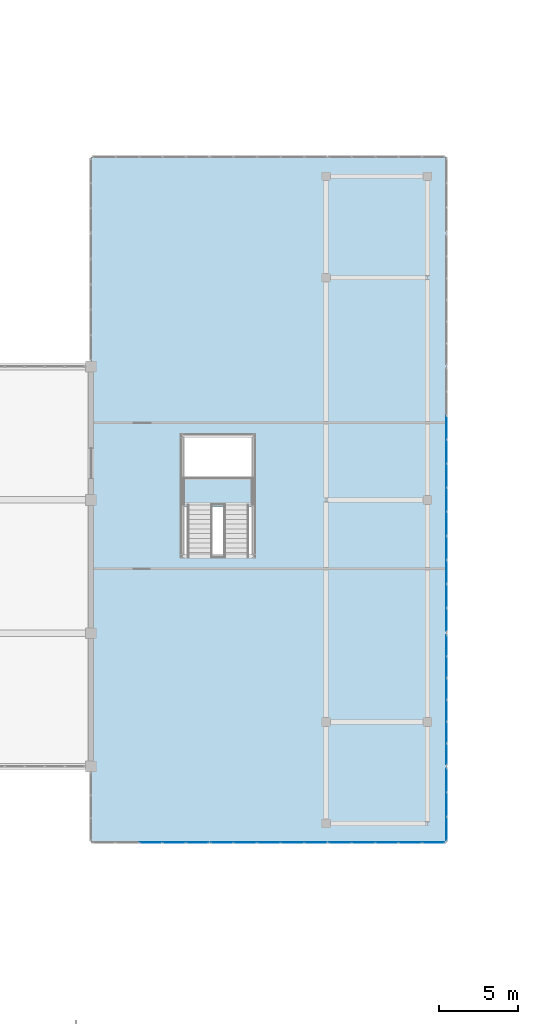
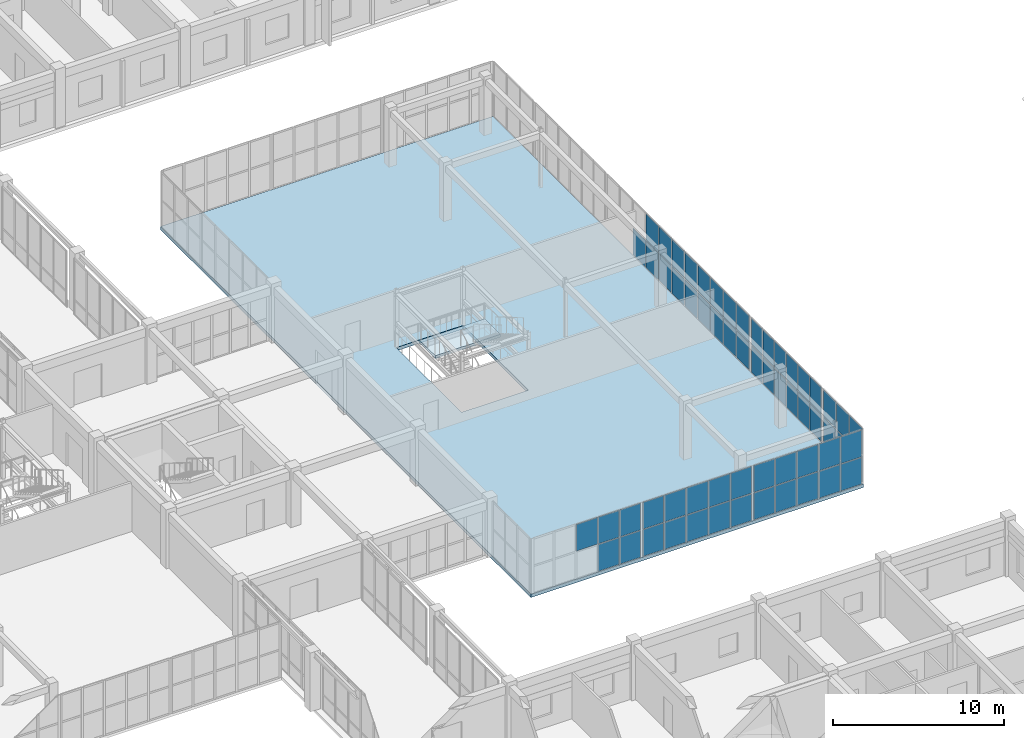
# One storey, part 99 of 140: 60 plates, 2 slabs, 7 elements without a shape of their own.
"""IFC4 building model written with IfcOpenShell, lengths in metres."""

import ifcopenshell
import ifcopenshell.guid

model = None  # the IFC model being written
_history = None  # IfcOwnerHistory: only IFC2X3 demands one
_inside = {}  # id of a spatial element -> (the spatial element, [elements in it])
_under = {}  # id of a project, library or spatial element -> (it, [spatial elements below it])
_declared = {}  # id of a project -> (the project, [libraries it declares])
_typed = {}  # id of a type object -> (the type object, [elements of that type])
_made_of = {}  # id of a material, layer set ... -> (it, [elements and type objects made of it])


def new_model(schema):
    """Start an empty IFC model of exactly this schema.

    Asked for "IFC4X3", IfcOpenShell would pick the latest addendum, in which some entities
    have other attributes; the version numbers below select the first issue.
    IFC2X3 requires an IfcOwnerHistory on every rooted entity: one is made here for all.
    """
    global model, _history
    if schema == "IFC4X3":
        model = ifcopenshell.file(schema_version=(4, 3, 0, 0))
    else:
        model = ifcopenshell.file(schema=schema)
    _inside.clear()
    _under.clear()
    _declared.clear()
    _typed.clear()
    _made_of.clear()
    _history = None
    if model.schema == "IFC2X3":
        org = make("IfcOrganization", Name="unknown")
        user = make(
            "IfcPersonAndOrganization",
            ThePerson=make("IfcPerson", FamilyName="unknown"),
            TheOrganization=org,
        )
        app = make(
            "IfcApplication",
            ApplicationDeveloper=org,
            Version="unknown",
            ApplicationFullName="unknown",
            ApplicationIdentifier="unknown",
        )
        _history = make(
            "IfcOwnerHistory",
            OwningUser=user,
            OwningApplication=app,
            ChangeAction="ADDED",
            CreationDate=0,
        )
    return model


def make(cls, **values):
    """One entity of the class cls with the attributes given. An attribute that is None is left unset."""
    return model.create_entity(
        cls, **{name: value for name, value in values.items() if value is not None}
    )


def rooted(cls, **values):
    """An entity with a GlobalId (a new one), such as an element, a storey or a relation."""
    return make(cls, GlobalId=ifcopenshell.guid.new(), OwnerHistory=_history, **values)


def si_unit(unit_type, name, prefix=None):
    """IfcSIUnit, for example si_unit("LENGTHUNIT", "METRE", prefix="MILLI")."""
    return make("IfcSIUnit", UnitType=unit_type, Prefix=prefix, Name=name)


def assignment(units):
    """IfcUnitAssignment: the units of a project."""
    return None if units is None else make("IfcUnitAssignment", Units=units)


def point(xyz):
    """IfcCartesianPoint."""
    return None if xyz is None else make("IfcCartesianPoint", Coordinates=xyz)


def direction(xyz):
    """IfcDirection."""
    return None if xyz is None else make("IfcDirection", DirectionRatios=xyz)


def frame(location, z_axis=None, x_axis=None):
    """IfcAxis2Placement3D, a coordinate frame: its origin and axes. An axis left out is left unset."""
    return make(
        "IfcAxis2Placement3D",
        Location=point(location),
        Axis=direction(z_axis),
        RefDirection=direction(x_axis),
    )


def frame_2d(location, x_axis=None):
    """IfcAxis2Placement2D, a coordinate frame in the plane: its origin and x axis."""
    return make(
        "IfcAxis2Placement2D", Location=point(location), RefDirection=direction(x_axis)
    )


def origin():
    """The frame at (0, 0, 0) with its axes left unset."""
    return frame((0.0, 0.0, 0.0))


def origin_2d():
    """The frame at (0, 0) in the plane with its x axis left unset."""
    return frame_2d((0.0, 0.0))


def place(relative_to, where):
    """IfcLocalPlacement: puts the frame where relative to a parent placement (None: the world)."""
    return make(
        "IfcLocalPlacement", PlacementRelTo=relative_to, RelativePlacement=where
    )


def context(
    kind, dimensions, precision=None, world=None, true_north=None, identifier=None
):
    """IfcGeometricRepresentationContext, for example the 3D "Model" context."""
    return make(
        "IfcGeometricRepresentationContext",
        ContextIdentifier=identifier,
        ContextType=kind,
        CoordinateSpaceDimension=dimensions,
        Precision=precision,
        WorldCoordinateSystem=world,
        TrueNorth=true_north,
    )


def subcontext(parent, identifier, kind, view, scale=None):
    """IfcGeometricRepresentationSubContext, for example "Body" below "Model"."""
    return make(
        "IfcGeometricRepresentationSubContext",
        ContextIdentifier=identifier,
        ContextType=kind,
        ParentContext=parent,
        TargetScale=scale,
        TargetView=view,
    )


def project(units=None, contexts=None):
    """IfcProject with its units and contexts."""
    return rooted(
        "IfcProject",
        Name="project",
        RepresentationContexts=contexts,
        UnitsInContext=assignment(units),
    )


def spatial(cls, under=None, at=None, **own):
    """A site, building, storey or space (cls), placed at a placement, below another one or the project."""
    s = rooted(cls, ObjectPlacement=at, **own)
    if under is not None:
        _under.setdefault(under.id(), (under, []))[1].append(s)
    return s


def polyline(points):
    """IfcPolyline through the points."""
    return make("IfcPolyline", Points=[point(p) for p in points])


def profile(cls, at=None, kind="AREA", **sizes):
    """A parametric profile (cls). Its sizes go by their IFC names, for example OverallWidth=200.0."""
    return make(cls, ProfileType=kind, Position=at, **sizes)


def rectangle(**sizes):
    """IfcRectangleProfileDef."""
    return profile("IfcRectangleProfileDef", **sizes)


def outline(outer, holes=None, kind="AREA"):
    """IfcArbitraryClosedProfileDef: a profile drawn as a closed curve; with holes, ...WithVoids."""
    if holes is None:
        return make("IfcArbitraryClosedProfileDef", ProfileType=kind, OuterCurve=outer)
    return make(
        "IfcArbitraryProfileDefWithVoids",
        ProfileType=kind,
        OuterCurve=outer,
        InnerCurves=holes,
    )


def extrude(swept, where, along, depth):
    """IfcExtrudedAreaSolid: the profile swept, set in the frame where, extruded along a direction by depth."""
    return make(
        "IfcExtrudedAreaSolid",
        SweptArea=swept,
        Position=where,
        ExtrudedDirection=direction(along),
        Depth=depth,
    )


def shape(context_of_items, identifier, shape_type, items):
    """IfcShapeRepresentation: the items that make up one representation, for example the "Body"."""
    return make(
        "IfcShapeRepresentation",
        ContextOfItems=context_of_items,
        RepresentationIdentifier=identifier,
        RepresentationType=shape_type,
        Items=items,
    )


def material(Name=None, Category=None):
    """IfcMaterial."""
    return make("IfcMaterial", Name=Name, Category=Category)


def layer(
    of_material, thickness, ventilated=None, Name=None, Category=None, Priority=None
):
    """IfcMaterialLayer: one layer of a wall or slab, of a material (None: an air gap)."""
    return make(
        "IfcMaterialLayer",
        Material=of_material,
        LayerThickness=thickness,
        IsVentilated=ventilated,
        Name=Name,
        Category=Category,
        Priority=Priority,
    )


def layer_set(layers, Name=None):
    """IfcMaterialLayerSet."""
    return make("IfcMaterialLayerSet", MaterialLayers=layers, LayerSetName=Name)


def made_of(thing, what):
    """Note that an element or type object is made of a material, layer set ...; save() writes the relation."""
    if what is not None:
        _made_of.setdefault(what.id(), (what, []))[1].append(thing)
    return thing


def type_object(cls, material=None, **own):
    """A type object (cls), such as IfcWallType, which elements share."""
    return made_of(rooted(cls, **own), material)


def element(
    cls,
    number,
    at=None,
    inside=None,
    cuts=None,
    type_object=None,
    material=None,
    context=None,
    identifier="Body",
    shape_type=None,
    held_by="IfcProductDefinitionShape",
    body=None,
    shapes=None,
    **own,
):
    """One element of the class cls, such as IfcWall. Its Tag is "e" and its number.

    at: its placement. inside: the storey or other place that contains it. cuts: it is an
    opening in that element (IfcRelVoidsElement). A single representation is given by context,
    identifier, shape_type and body (its items); several are given by shapes. held_by: the class
    of the entity that holds the representations. save() writes the other relations.
    """
    e = rooted(cls, Tag="e%d" % number, ObjectPlacement=at, **own)
    if body is not None:
        shapes = [shape(context, identifier, shape_type, body)]
    if shapes is not None:
        e.Representation = make(held_by, Representations=shapes)
    if inside is not None:
        _inside.setdefault(inside.id(), (inside, []))[1].append(e)
    if cuts is not None:
        rooted(
            "IfcRelVoidsElement", RelatingBuildingElement=cuts, RelatedOpeningElement=e
        )
    if type_object is not None:
        _typed.setdefault(type_object.id(), (type_object, []))[1].append(e)
    return made_of(e, material)


def aggregate(whole, parts):
    """IfcRelAggregates: a whole, such as a stair, and the parts it consists of."""
    return rooted("IfcRelAggregates", RelatingObject=whole, RelatedObjects=parts)


def save(model, path):
    """Write the relations noted so far, then the file.

    IfcRelAggregates (storeys below a building ...), IfcRelContainedInSpatialStructure (elements
    in a storey), IfcRelDefinesByType, IfcRelAssociatesMaterial and IfcRelDeclares: one each for
    every whole, place, type object, material and project.
    """
    for whole, parts in _under.values():
        aggregate(whole, parts)
    for where, things in _inside.values():
        rooted(
            "IfcRelContainedInSpatialStructure",
            RelatedElements=things,
            RelatingStructure=where,
        )
    for kind, things in _typed.values():
        rooted("IfcRelDefinesByType", RelatedObjects=things, RelatingType=kind)
    for what, things in _made_of.values():
        rooted("IfcRelAssociatesMaterial", RelatedObjects=things, RelatingMaterial=what)
    for by, libraries in _declared.values():
        rooted("IfcRelDeclares", RelatingContext=by, RelatedDefinitions=libraries)
    model.write(path)


model = new_model("IFC4")

# Units and contexts
model_context = context("Model", 3, precision=1e-05, world=origin(), true_north=direction((0.0, 1.0)))
body_context = subcontext(model_context, "Body", "Model", "MODEL_VIEW")
ifc_project = project(units=[si_unit("LENGTHUNIT", "METRE"), si_unit("AREAUNIT", "SQUARE_METRE"), si_unit("VOLUMEUNIT", "CUBIC_METRE"), si_unit("PLANEANGLEUNIT", "RADIAN"), si_unit("MASSUNIT", "GRAM", prefix="KILO")], contexts=[model_context])

# Site, building, storey
site_placement = place(None, origin())
site = spatial("IfcSite", under=ifc_project, at=site_placement, CompositionType="ELEMENT")
building_placement = place(site_placement, origin())
building = spatial("IfcBuilding", under=site, at=building_placement, Name="Trelvath General Hospital", CompositionType="ELEMENT")
storey_placement = place(building_placement, frame((0.0, 0.0, 16.199951171875)))
storey = spatial("IfcBuildingStorey", under=building, at=storey_placement, Name="L04", CompositionType="ELEMENT", Elevation=16.199951171875)

# Curtain wall, plates
ifc_material_1 = material(Name="Anodised aluminium and low-E glass", Category="aluminium")
ifc_layer_1 = layer(ifc_material_1, 0.139892578125)
ifc_layer_set_1 = layer_set([ifc_layer_1], Name="Anodised aluminium and low-E glass")
curtain_wall_type_1 = type_object("IfcCurtainWallType", Name="CW CrystalCube 737 396 14", PredefinedType="USERDEFINED", material=ifc_layer_set_1)
curtain_wall_1_placement = place(storey_placement, origin())
curtain_wall_1 = element("IfcCurtainWall", 1, at=curtain_wall_1_placement, inside=storey, type_object=curtain_wall_type_1, Name="Crystal Cube Curtain Wall CUBE-E-T1 S1 L04", ObjectType="Unitised Glazed Curtain Wall", PredefinedType="USERDEFINED")
ifc_material_2 = material(Name="Low-E laminated glass", Category="glass")
ifc_layer_2 = layer(ifc_material_2, 0.028076171875)
ifc_layer_set_2 = layer_set([ifc_layer_2], Name="Low-E laminated glass")
plate_type = type_object("IfcPlateType", Name="CurtainPanel Glass28", PredefinedType="CURTAIN_PANEL", material=ifc_layer_set_2)
plate_1_placement = place(storey_placement, frame((99.094970703125, 37.199951171875, 0.06005859375), z_axis=(0.0, 0.0, 1.0), x_axis=(-1.0, 0.0, 0.0)))
plate_1 = element("IfcPlate", 2, at=plate_1_placement, type_object=plate_type, Name="CW-282 panel 1.1", PredefinedType="CURTAIN_PANEL", context=body_context, shape_type="SweptSolid", body=[
    extrude(rectangle(XDim=1.38330078125, YDim=0.028076171875, at=origin_2d()), origin(), (0.0, 0.0, 1.0), 1.889892578125),
])
plate_2_placement = place(storey_placement, frame((99.094970703125, 37.199951171875, 2.01025390625), z_axis=(0.0, 0.0, 1.0), x_axis=(-1.0, 0.0, 0.0)))
plate_2 = element("IfcPlate", 3, at=plate_2_placement, type_object=plate_type, Name="CW-282 panel 1.2", PredefinedType="CURTAIN_PANEL", context=body_context, shape_type="SweptSolid", body=[
    extrude(rectangle(XDim=1.38330078125, YDim=0.028076171875, at=origin_2d()), origin(), (0.0, 0.0, 1.0), 1.889892578125),
])
plate_3_placement = place(storey_placement, frame((97.63671875, 37.199951171875, 0.06005859375), z_axis=(0.0, 0.0, 1.0), x_axis=(-1.0, 0.0, 0.0)))
plate_3 = element("IfcPlate", 4, at=plate_3_placement, type_object=plate_type, Name="CW-282 panel 2.1", PredefinedType="CURTAIN_PANEL", context=body_context, shape_type="SweptSolid", body=[
    extrude(rectangle(XDim=1.413330078125, YDim=0.028076171875, at=origin_2d()), origin(), (0.0, 0.0, 1.0), 1.889892578125),
])
plate_4_placement = place(storey_placement, frame((97.63671875, 37.199951171875, 2.01025390625), z_axis=(0.0, 0.0, 1.0), x_axis=(-1.0, 0.0, 0.0)))
plate_4 = element("IfcPlate", 5, at=plate_4_placement, type_object=plate_type, Name="CW-282 panel 2.2", PredefinedType="CURTAIN_PANEL", context=body_context, shape_type="SweptSolid", body=[
    extrude(rectangle(XDim=1.413330078125, YDim=0.028076171875, at=origin_2d()), origin(), (0.0, 0.0, 1.0), 1.889892578125),
])
plate_5_placement = place(storey_placement, frame((96.163330078125, 37.199951171875, 2.01025390625), z_axis=(0.0, 0.0, 1.0), x_axis=(-1.0, 0.0, 0.0)))
plate_5 = element("IfcPlate", 6, at=plate_5_placement, type_object=plate_type, Name="CW-282 panel 3.2", PredefinedType="CURTAIN_PANEL", context=body_context, shape_type="SweptSolid", body=[
    extrude(rectangle(XDim=1.413330078125, YDim=0.028076171875, at=origin_2d()), origin(), (0.0, 0.0, 1.0), 1.889892578125),
])
aggregate(curtain_wall_1, [plate_1, plate_2, plate_3, plate_4, plate_5])

ifc_material_3 = material(Name="Anodised aluminium and low-E glass", Category="aluminium")
ifc_layer_3 = layer(ifc_material_3, 0.139892578125)
ifc_layer_set_3 = layer_set([ifc_layer_3], Name="Anodised aluminium and low-E glass")
curtain_wall_type_2 = type_object("IfcCurtainWallType", Name="CW CrystalCube 743 396 14", PredefinedType="USERDEFINED", material=ifc_layer_set_3)
curtain_wall_2_placement = place(storey_placement, origin())
curtain_wall_2 = element("IfcCurtainWall", 7, at=curtain_wall_2_placement, inside=storey, type_object=curtain_wall_type_2, Name="Crystal Cube Curtain Wall CUBE-E-T1 S2 L04", ObjectType="Unitised Glazed Curtain Wall", PredefinedType="USERDEFINED")
plate_6_placement = place(storey_placement, frame((106.5556640625, 37.199951171875, 0.06005859375), z_axis=(0.0, 0.0, 1.0), x_axis=(-1.0, 0.0, 0.0)))
plate_6 = element("IfcPlate", 8, at=plate_6_placement, type_object=plate_type, Name="CW-283 panel 1.1", PredefinedType="CURTAIN_PANEL", context=body_context, shape_type="SweptSolid", body=[
    extrude(rectangle(XDim=1.395263671875, YDim=0.028076171875, at=origin_2d()), origin(), (0.0, 0.0, 1.0), 1.889892578125),
])
plate_7_placement = place(storey_placement, frame((106.5556640625, 37.199951171875, 2.01025390625), z_axis=(0.0, 0.0, 1.0), x_axis=(-1.0, 0.0, 0.0)))
plate_7 = element("IfcPlate", 9, at=plate_7_placement, type_object=plate_type, Name="CW-283 panel 1.2", PredefinedType="CURTAIN_PANEL", context=body_context, shape_type="SweptSolid", body=[
    extrude(rectangle(XDim=1.395263671875, YDim=0.028076171875, at=origin_2d()), origin(), (0.0, 0.0, 1.0), 1.889892578125),
])
plate_8_placement = place(storey_placement, frame((105.085205078125, 37.199951171875, 0.06005859375), z_axis=(0.0, 0.0, 1.0), x_axis=(-1.0, 0.0, 0.0)))
plate_8 = element("IfcPlate", 10, at=plate_8_placement, type_object=plate_type, Name="CW-283 panel 2.1", PredefinedType="CURTAIN_PANEL", context=body_context, shape_type="SweptSolid", body=[
    extrude(rectangle(XDim=1.42529296875, YDim=0.028076171875, at=origin_2d()), origin(), (0.0, 0.0, 1.0), 1.889892578125),
])
plate_9_placement = place(storey_placement, frame((105.085205078125, 37.199951171875, 2.01025390625), z_axis=(0.0, 0.0, 1.0), x_axis=(-1.0, 0.0, 0.0)))
plate_9 = element("IfcPlate", 11, at=plate_9_placement, type_object=plate_type, Name="CW-283 panel 2.2", PredefinedType="CURTAIN_PANEL", context=body_context, shape_type="SweptSolid", body=[
    extrude(rectangle(XDim=1.42529296875, YDim=0.028076171875, at=origin_2d()), origin(), (0.0, 0.0, 1.0), 1.889892578125),
])
plate_10_placement = place(storey_placement, frame((103.60009765625, 37.199951171875, 0.06005859375), z_axis=(0.0, 0.0, 1.0), x_axis=(-1.0, 0.0, 0.0)))
plate_10 = element("IfcPlate", 12, at=plate_10_placement, type_object=plate_type, Name="CW-283 panel 3.1", PredefinedType="CURTAIN_PANEL", context=body_context, shape_type="SweptSolid", body=[
    extrude(rectangle(XDim=1.42529296875, YDim=0.028076171875, at=origin_2d()), origin(), (0.0, 0.0, 1.0), 1.889892578125),
])
plate_11_placement = place(storey_placement, frame((103.60009765625, 37.199951171875, 2.01025390625), z_axis=(0.0, 0.0, 1.0), x_axis=(-1.0, 0.0, 0.0)))
plate_11 = element("IfcPlate", 13, at=plate_11_placement, type_object=plate_type, Name="CW-283 panel 3.2", PredefinedType="CURTAIN_PANEL", context=body_context, shape_type="SweptSolid", body=[
    extrude(rectangle(XDim=1.42529296875, YDim=0.028076171875, at=origin_2d()), origin(), (0.0, 0.0, 1.0), 1.889892578125),
])
plate_12_placement = place(storey_placement, frame((102.11474609375, 37.199951171875, 0.06005859375), z_axis=(0.0, 0.0, 1.0), x_axis=(-1.0, 0.0, 0.0)))
plate_12 = element("IfcPlate", 14, at=plate_12_placement, type_object=plate_type, Name="CW-283 panel 4.1", PredefinedType="CURTAIN_PANEL", context=body_context, shape_type="SweptSolid", body=[
    extrude(rectangle(XDim=1.42529296875, YDim=0.028076171875, at=origin_2d()), origin(), (0.0, 0.0, 1.0), 1.889892578125),
])
plate_13_placement = place(storey_placement, frame((102.11474609375, 37.199951171875, 2.01025390625), z_axis=(0.0, 0.0, 1.0), x_axis=(-1.0, 0.0, 0.0)))
plate_13 = element("IfcPlate", 15, at=plate_13_placement, type_object=plate_type, Name="CW-283 panel 4.2", PredefinedType="CURTAIN_PANEL", context=body_context, shape_type="SweptSolid", body=[
    extrude(rectangle(XDim=1.42529296875, YDim=0.028076171875, at=origin_2d()), origin(), (0.0, 0.0, 1.0), 1.889892578125),
])
plate_14_placement = place(storey_placement, frame((100.644287109375, 37.199951171875, 0.06005859375), z_axis=(0.0, 0.0, 1.0), x_axis=(-1.0, 0.0, 0.0)))
plate_14 = element("IfcPlate", 16, at=plate_14_placement, type_object=plate_type, Name="CW-283 panel 5.1", PredefinedType="CURTAIN_PANEL", context=body_context, shape_type="SweptSolid", body=[
    extrude(rectangle(XDim=1.395263671875, YDim=0.028076171875, at=origin_2d()), origin(), (0.0, 0.0, 1.0), 1.889892578125),
])
plate_15_placement = place(storey_placement, frame((100.644287109375, 37.199951171875, 2.01025390625), z_axis=(0.0, 0.0, 1.0), x_axis=(-1.0, 0.0, 0.0)))
plate_15 = element("IfcPlate", 17, at=plate_15_placement, type_object=plate_type, Name="CW-283 panel 5.2", PredefinedType="CURTAIN_PANEL", context=body_context, shape_type="SweptSolid", body=[
    extrude(rectangle(XDim=1.395263671875, YDim=0.028076171875, at=origin_2d()), origin(), (0.0, 0.0, 1.0), 1.889892578125),
])
aggregate(curtain_wall_2, [plate_6, plate_7, plate_8, plate_9, plate_10, plate_11, plate_12, plate_13, plate_14, plate_15])

curtain_wall_3_placement = place(storey_placement, origin())
curtain_wall_3 = element("IfcCurtainWall", 18, at=curtain_wall_3_placement, inside=storey, type_object=curtain_wall_type_1, Name="Crystal Cube Curtain Wall CUBE-E-T1 S3 L04", ObjectType="Unitised Glazed Curtain Wall", PredefinedType="USERDEFINED")
plate_16_placement = place(storey_placement, frame((113.96826171875, 37.199951171875, 0.06005859375), z_axis=(0.0, 0.0, 1.0), x_axis=(-1.0, 0.0, 0.0)))
plate_16 = element("IfcPlate", 19, at=plate_16_placement, type_object=plate_type, Name="CW-284 panel 1.1", PredefinedType="CURTAIN_PANEL", context=body_context, shape_type="SweptSolid", body=[
    extrude(rectangle(XDim=1.38330078125, YDim=0.028076171875, at=origin_2d()), origin(), (0.0, 0.0, 1.0), 1.889892578125),
])
plate_17_placement = place(storey_placement, frame((113.96826171875, 37.199951171875, 2.01025390625), z_axis=(0.0, 0.0, 1.0), x_axis=(-1.0, 0.0, 0.0)))
plate_17 = element("IfcPlate", 20, at=plate_17_placement, type_object=plate_type, Name="CW-284 panel 1.2", PredefinedType="CURTAIN_PANEL", context=body_context, shape_type="SweptSolid", body=[
    extrude(rectangle(XDim=1.38330078125, YDim=0.028076171875, at=origin_2d()), origin(), (0.0, 0.0, 1.0), 1.889892578125),
])
plate_18_placement = place(storey_placement, frame((112.510009765625, 37.199951171875, 0.06005859375), z_axis=(0.0, 0.0, 1.0), x_axis=(-1.0, 0.0, 0.0)))
plate_18 = element("IfcPlate", 21, at=plate_18_placement, type_object=plate_type, Name="CW-284 panel 2.1", PredefinedType="CURTAIN_PANEL", context=body_context, shape_type="SweptSolid", body=[
    extrude(rectangle(XDim=1.413330078125, YDim=0.028076171875, at=origin_2d()), origin(), (0.0, 0.0, 1.0), 1.889892578125),
])
plate_19_placement = place(storey_placement, frame((112.510009765625, 37.199951171875, 2.01025390625), z_axis=(0.0, 0.0, 1.0), x_axis=(-1.0, 0.0, 0.0)))
plate_19 = element("IfcPlate", 22, at=plate_19_placement, type_object=plate_type, Name="CW-284 panel 2.2", PredefinedType="CURTAIN_PANEL", context=body_context, shape_type="SweptSolid", body=[
    extrude(rectangle(XDim=1.413330078125, YDim=0.028076171875, at=origin_2d()), origin(), (0.0, 0.0, 1.0), 1.889892578125),
])
plate_20_placement = place(storey_placement, frame((111.03662109375, 37.199951171875, 0.06005859375), z_axis=(0.0, 0.0, 1.0), x_axis=(-1.0, 0.0, 0.0)))
plate_20 = element("IfcPlate", 23, at=plate_20_placement, type_object=plate_type, Name="CW-284 panel 3.1", PredefinedType="CURTAIN_PANEL", context=body_context, shape_type="SweptSolid", body=[
    extrude(rectangle(XDim=1.413330078125, YDim=0.028076171875, at=origin_2d()), origin(), (0.0, 0.0, 1.0), 1.889892578125),
])
plate_21_placement = place(storey_placement, frame((111.03662109375, 37.199951171875, 2.01025390625), z_axis=(0.0, 0.0, 1.0), x_axis=(-1.0, 0.0, 0.0)))
plate_21 = element("IfcPlate", 24, at=plate_21_placement, type_object=plate_type, Name="CW-284 panel 3.2", PredefinedType="CURTAIN_PANEL", context=body_context, shape_type="SweptSolid", body=[
    extrude(rectangle(XDim=1.413330078125, YDim=0.028076171875, at=origin_2d()), origin(), (0.0, 0.0, 1.0), 1.889892578125),
])
plate_22_placement = place(storey_placement, frame((109.563232421875, 37.199951171875, 0.06005859375), z_axis=(0.0, 0.0, 1.0), x_axis=(-1.0, 0.0, 0.0)))
plate_22 = element("IfcPlate", 25, at=plate_22_placement, type_object=plate_type, Name="CW-284 panel 4.1", PredefinedType="CURTAIN_PANEL", context=body_context, shape_type="SweptSolid", body=[
    extrude(rectangle(XDim=1.413330078125, YDim=0.028076171875, at=origin_2d()), origin(), (0.0, 0.0, 1.0), 1.889892578125),
])
plate_23_placement = place(storey_placement, frame((109.563232421875, 37.199951171875, 2.01025390625), z_axis=(0.0, 0.0, 1.0), x_axis=(-1.0, 0.0, 0.0)))
plate_23 = element("IfcPlate", 26, at=plate_23_placement, type_object=plate_type, Name="CW-284 panel 4.2", PredefinedType="CURTAIN_PANEL", context=body_context, shape_type="SweptSolid", body=[
    extrude(rectangle(XDim=1.413330078125, YDim=0.028076171875, at=origin_2d()), origin(), (0.0, 0.0, 1.0), 1.889892578125),
])
plate_24_placement = place(storey_placement, frame((108.10498046875, 37.199951171875, 0.06005859375), z_axis=(0.0, 0.0, 1.0), x_axis=(-1.0, 0.0, 0.0)))
plate_24 = element("IfcPlate", 27, at=plate_24_placement, type_object=plate_type, Name="CW-284 panel 5.1", PredefinedType="CURTAIN_PANEL", context=body_context, shape_type="SweptSolid", body=[
    extrude(rectangle(XDim=1.38330078125, YDim=0.028076171875, at=origin_2d()), origin(), (0.0, 0.0, 1.0), 1.889892578125),
])
plate_25_placement = place(storey_placement, frame((108.10498046875, 37.199951171875, 2.01025390625), z_axis=(0.0, 0.0, 1.0), x_axis=(-1.0, 0.0, 0.0)))
plate_25 = element("IfcPlate", 28, at=plate_25_placement, type_object=plate_type, Name="CW-284 panel 5.2", PredefinedType="CURTAIN_PANEL", context=body_context, shape_type="SweptSolid", body=[
    extrude(rectangle(XDim=1.38330078125, YDim=0.028076171875, at=origin_2d()), origin(), (0.0, 0.0, 1.0), 1.889892578125),
])
aggregate(curtain_wall_3, [plate_16, plate_17, plate_18, plate_19, plate_20, plate_21, plate_22, plate_23, plate_24, plate_25])

ifc_material_4 = material(Name="Anodised aluminium and low-E glass", Category="aluminium")
ifc_layer_4 = layer(ifc_material_4, 0.139892578125)
ifc_layer_set_4 = layer_set([ifc_layer_4], Name="Anodised aluminium and low-E glass")
curtain_wall_type_3 = type_object("IfcCurtainWallType", Name="CW CrystalCube 464 396 14", PredefinedType="USERDEFINED", material=ifc_layer_set_4)
curtain_wall_4_placement = place(storey_placement, origin())
curtain_wall_4 = element("IfcCurtainWall", 29, at=curtain_wall_4_placement, inside=storey, type_object=curtain_wall_type_3, Name="Crystal Cube Curtain Wall CUBE-E-T1 E1 L04", ObjectType="Unitised Glazed Curtain Wall", PredefinedType="USERDEFINED")
plate_26_placement = place(storey_placement, frame((114.800048828125, 41.131591796875, 0.06005859375), z_axis=(0.0, 0.0, 1.0), x_axis=(0.0, -1.0, 0.0)))
plate_26 = element("IfcPlate", 30, at=plate_26_placement, type_object=plate_type, Name="CW-288 panel 1.1", PredefinedType="CURTAIN_PANEL", context=body_context, shape_type="SweptSolid", body=[
    extrude(rectangle(XDim=1.456787109375, YDim=0.028076171875, at=origin_2d()), origin(), (0.0, 0.0, 1.0), 1.889892578125),
])
plate_27_placement = place(storey_placement, frame((114.800048828125, 41.131591796875, 2.01025390625), z_axis=(0.0, 0.0, 1.0), x_axis=(0.0, -1.0, 0.0)))
plate_27 = element("IfcPlate", 31, at=plate_27_placement, type_object=plate_type, Name="CW-288 panel 1.2", PredefinedType="CURTAIN_PANEL", context=body_context, shape_type="SweptSolid", body=[
    extrude(rectangle(XDim=1.456787109375, YDim=0.028076171875, at=origin_2d()), origin(), (0.0, 0.0, 1.0), 1.889892578125),
])
plate_28_placement = place(storey_placement, frame((114.800048828125, 39.60009765625, 0.06005859375), z_axis=(0.0, 0.0, 1.0), x_axis=(0.0, -1.0, 0.0)))
plate_28 = element("IfcPlate", 32, at=plate_28_placement, type_object=plate_type, Name="CW-288 panel 2.1", PredefinedType="CURTAIN_PANEL", context=body_context, shape_type="SweptSolid", body=[
    extrude(rectangle(XDim=1.486572265625, YDim=0.028076171875, at=origin_2d()), origin(), (0.0, 0.0, 1.0), 1.889892578125),
])
plate_29_placement = place(storey_placement, frame((114.800048828125, 39.60009765625, 2.01025390625), z_axis=(0.0, 0.0, 1.0), x_axis=(0.0, -1.0, 0.0)))
plate_29 = element("IfcPlate", 33, at=plate_29_placement, type_object=plate_type, Name="CW-288 panel 2.2", PredefinedType="CURTAIN_PANEL", context=body_context, shape_type="SweptSolid", body=[
    extrude(rectangle(XDim=1.486572265625, YDim=0.028076171875, at=origin_2d()), origin(), (0.0, 0.0, 1.0), 1.889892578125),
])
plate_30_placement = place(storey_placement, frame((114.800048828125, 38.068359375, 0.06005859375), z_axis=(0.0, 0.0, 1.0), x_axis=(0.0, -1.0, 0.0)))
plate_30 = element("IfcPlate", 34, at=plate_30_placement, type_object=plate_type, Name="CW-288 panel 3.1", PredefinedType="CURTAIN_PANEL", context=body_context, shape_type="SweptSolid", body=[
    extrude(rectangle(XDim=1.456787109375, YDim=0.028076171875, at=origin_2d()), origin(), (0.0, 0.0, 1.0), 1.889892578125),
])
plate_31_placement = place(storey_placement, frame((114.800048828125, 38.068359375, 2.01025390625), z_axis=(0.0, 0.0, 1.0), x_axis=(0.0, -1.0, 0.0)))
plate_31 = element("IfcPlate", 35, at=plate_31_placement, type_object=plate_type, Name="CW-288 panel 3.2", PredefinedType="CURTAIN_PANEL", context=body_context, shape_type="SweptSolid", body=[
    extrude(rectangle(XDim=1.456787109375, YDim=0.028076171875, at=origin_2d()), origin(), (0.0, 0.0, 1.0), 1.889892578125),
])
aggregate(curtain_wall_4, [plate_26, plate_27, plate_28, plate_29, plate_30, plate_31])

ifc_material_5 = material(Name="Anodised aluminium and low-E glass", Category="aluminium")
ifc_layer_5 = layer(ifc_material_5, 0.139892578125)
ifc_layer_set_5 = layer_set([ifc_layer_5], Name="Anodised aluminium and low-E glass")
curtain_wall_type_4 = type_object("IfcCurtainWallType", Name="CW CrystalCube 824 396 14", PredefinedType="USERDEFINED", material=ifc_layer_set_5)
curtain_wall_5_placement = place(storey_placement, origin())
curtain_wall_5 = element("IfcCurtainWall", 36, at=curtain_wall_5_placement, inside=storey, type_object=curtain_wall_type_4, Name="Crystal Cube Curtain Wall CUBE-E-T1 E2 L04", ObjectType="Unitised Glazed Curtain Wall", PredefinedType="USERDEFINED")
plate_32_placement = place(storey_placement, frame((114.800048828125, 49.618408203125, 0.06005859375), z_axis=(0.0, 0.0, 1.0), x_axis=(0.0, -1.0, 0.0)))
plate_32 = element("IfcPlate", 37, at=plate_32_placement, type_object=plate_type, Name="CW-290 panel 1.1", PredefinedType="CURTAIN_PANEL", context=body_context, shape_type="SweptSolid", body=[
    extrude(rectangle(XDim=1.283447265625, YDim=0.028076171875, at=origin_2d()), origin(), (0.0, 0.0, 1.0), 1.889892578125),
])
plate_33_placement = place(storey_placement, frame((114.800048828125, 49.618408203125, 2.01025390625), z_axis=(0.0, 0.0, 1.0), x_axis=(0.0, -1.0, 0.0)))
plate_33 = element("IfcPlate", 38, at=plate_33_placement, type_object=plate_type, Name="CW-290 panel 1.2", PredefinedType="CURTAIN_PANEL", context=body_context, shape_type="SweptSolid", body=[
    extrude(rectangle(XDim=1.283447265625, YDim=0.028076171875, at=origin_2d()), origin(), (0.0, 0.0, 1.0), 1.889892578125),
])
plate_34_placement = place(storey_placement, frame((114.800048828125, 48.260009765625, 0.06005859375), z_axis=(0.0, 0.0, 1.0), x_axis=(0.0, -1.0, 0.0)))
plate_34 = element("IfcPlate", 39, at=plate_34_placement, type_object=plate_type, Name="CW-290 panel 2.1", PredefinedType="CURTAIN_PANEL", context=body_context, shape_type="SweptSolid", body=[
    extrude(rectangle(XDim=1.313232421875, YDim=0.028076171875, at=origin_2d()), origin(), (0.0, 0.0, 1.0), 1.889892578125),
])
plate_35_placement = place(storey_placement, frame((114.800048828125, 48.260009765625, 2.01025390625), z_axis=(0.0, 0.0, 1.0), x_axis=(0.0, -1.0, 0.0)))
plate_35 = element("IfcPlate", 40, at=plate_35_placement, type_object=plate_type, Name="CW-290 panel 2.2", PredefinedType="CURTAIN_PANEL", context=body_context, shape_type="SweptSolid", body=[
    extrude(rectangle(XDim=1.313232421875, YDim=0.028076171875, at=origin_2d()), origin(), (0.0, 0.0, 1.0), 1.889892578125),
])
plate_36_placement = place(storey_placement, frame((114.800048828125, 46.88671875, 0.06005859375), z_axis=(0.0, 0.0, 1.0), x_axis=(0.0, -1.0, 0.0)))
plate_36 = element("IfcPlate", 41, at=plate_36_placement, type_object=plate_type, Name="CW-290 panel 3.1", PredefinedType="CURTAIN_PANEL", context=body_context, shape_type="SweptSolid", body=[
    extrude(rectangle(XDim=1.313232421875, YDim=0.028076171875, at=origin_2d()), origin(), (0.0, 0.0, 1.0), 1.889892578125),
])
plate_37_placement = place(storey_placement, frame((114.800048828125, 46.88671875, 2.01025390625), z_axis=(0.0, 0.0, 1.0), x_axis=(0.0, -1.0, 0.0)))
plate_37 = element("IfcPlate", 42, at=plate_37_placement, type_object=plate_type, Name="CW-290 panel 3.2", PredefinedType="CURTAIN_PANEL", context=body_context, shape_type="SweptSolid", body=[
    extrude(rectangle(XDim=1.313232421875, YDim=0.028076171875, at=origin_2d()), origin(), (0.0, 0.0, 1.0), 1.889892578125),
])
plate_38_placement = place(storey_placement, frame((114.800048828125, 45.513427734375, 0.06005859375), z_axis=(0.0, 0.0, 1.0), x_axis=(0.0, -1.0, 0.0)))
plate_38 = element("IfcPlate", 43, at=plate_38_placement, type_object=plate_type, Name="CW-290 panel 4.1", PredefinedType="CURTAIN_PANEL", context=body_context, shape_type="SweptSolid", body=[
    extrude(rectangle(XDim=1.313232421875, YDim=0.028076171875, at=origin_2d()), origin(), (0.0, 0.0, 1.0), 1.889892578125),
])
plate_39_placement = place(storey_placement, frame((114.800048828125, 45.513427734375, 2.01025390625), z_axis=(0.0, 0.0, 1.0), x_axis=(0.0, -1.0, 0.0)))
plate_39 = element("IfcPlate", 44, at=plate_39_placement, type_object=plate_type, Name="CW-290 panel 4.2", PredefinedType="CURTAIN_PANEL", context=body_context, shape_type="SweptSolid", body=[
    extrude(rectangle(XDim=1.313232421875, YDim=0.028076171875, at=origin_2d()), origin(), (0.0, 0.0, 1.0), 1.889892578125),
])
plate_40_placement = place(storey_placement, frame((114.800048828125, 44.139892578125, 0.06005859375), z_axis=(0.0, 0.0, 1.0), x_axis=(0.0, -1.0, 0.0)))
plate_40 = element("IfcPlate", 45, at=plate_40_placement, type_object=plate_type, Name="CW-290 panel 5.1", PredefinedType="CURTAIN_PANEL", context=body_context, shape_type="SweptSolid", body=[
    extrude(rectangle(XDim=1.313232421875, YDim=0.028076171875, at=origin_2d()), origin(), (0.0, 0.0, 1.0), 1.889892578125),
])
plate_41_placement = place(storey_placement, frame((114.800048828125, 44.139892578125, 2.01025390625), z_axis=(0.0, 0.0, 1.0), x_axis=(0.0, -1.0, 0.0)))
plate_41 = element("IfcPlate", 46, at=plate_41_placement, type_object=plate_type, Name="CW-290 panel 5.2", PredefinedType="CURTAIN_PANEL", context=body_context, shape_type="SweptSolid", body=[
    extrude(rectangle(XDim=1.313232421875, YDim=0.028076171875, at=origin_2d()), origin(), (0.0, 0.0, 1.0), 1.889892578125),
])
plate_42_placement = place(storey_placement, frame((114.800048828125, 42.78173828125, 0.06005859375), z_axis=(0.0, 0.0, 1.0), x_axis=(0.0, -1.0, 0.0)))
plate_42 = element("IfcPlate", 47, at=plate_42_placement, type_object=plate_type, Name="CW-290 panel 6.1", PredefinedType="CURTAIN_PANEL", context=body_context, shape_type="SweptSolid", body=[
    extrude(rectangle(XDim=1.283447265625, YDim=0.028076171875, at=origin_2d()), origin(), (0.0, 0.0, 1.0), 1.889892578125),
])
plate_43_placement = place(storey_placement, frame((114.800048828125, 42.78173828125, 2.01025390625), z_axis=(0.0, 0.0, 1.0), x_axis=(0.0, -1.0, 0.0)))
plate_43 = element("IfcPlate", 48, at=plate_43_placement, type_object=plate_type, Name="CW-290 panel 6.2", PredefinedType="CURTAIN_PANEL", context=body_context, shape_type="SweptSolid", body=[
    extrude(rectangle(XDim=1.283447265625, YDim=0.028076171875, at=origin_2d()), origin(), (0.0, 0.0, 1.0), 1.889892578125),
])
aggregate(curtain_wall_5, [plate_32, plate_33, plate_34, plate_35, plate_36, plate_37, plate_38, plate_39, plate_40, plate_41, plate_42, plate_43])

ifc_material_6 = material(Name="Anodised aluminium and low-E glass", Category="aluminium")
ifc_layer_6 = layer(ifc_material_6, 0.139892578125)
ifc_layer_set_6 = layer_set([ifc_layer_6], Name="Anodised aluminium and low-E glass")
curtain_wall_type_5 = type_object("IfcCurtainWallType", Name="CW CrystalCube 1664 396 14", PredefinedType="USERDEFINED", material=ifc_layer_set_6)
curtain_wall_6_placement = place(storey_placement, origin())
curtain_wall_6 = element("IfcCurtainWall", 49, at=curtain_wall_6_placement, inside=storey, type_object=curtain_wall_type_5, Name="Crystal Cube Curtain Wall CUBE-E-T1 E3 L04", ObjectType="Unitised Glazed Curtain Wall", PredefinedType="USERDEFINED")
plate_44_placement = place(storey_placement, frame((114.800048828125, 63.338134765625, 0.06005859375), z_axis=(0.0, 0.0, 1.0), x_axis=(0.0, -1.0, 0.0)))
plate_44 = element("IfcPlate", 50, at=plate_44_placement, type_object=plate_type, Name="CW-291 panel 3.1", PredefinedType="CURTAIN_PANEL", context=body_context, shape_type="SweptSolid", body=[
    extrude(rectangle(XDim=1.45263671875, YDim=0.028076171875, at=origin_2d()), origin(), (0.0, 0.0, 1.0), 1.889892578125),
])
plate_45_placement = place(storey_placement, frame((114.800048828125, 61.825439453125, 0.06005859375), z_axis=(0.0, 0.0, 1.0), x_axis=(0.0, -1.0, 0.0)))
plate_45 = element("IfcPlate", 51, at=plate_45_placement, type_object=plate_type, Name="CW-291 panel 4.1", PredefinedType="CURTAIN_PANEL", context=body_context, shape_type="SweptSolid", body=[
    extrude(rectangle(XDim=1.45263671875, YDim=0.028076171875, at=origin_2d()), origin(), (0.0, 0.0, 1.0), 1.889892578125),
])
plate_46_placement = place(storey_placement, frame((114.800048828125, 61.825439453125, 2.01025390625), z_axis=(0.0, 0.0, 1.0), x_axis=(0.0, -1.0, 0.0)))
plate_46 = element("IfcPlate", 52, at=plate_46_placement, type_object=plate_type, Name="CW-291 panel 4.2", PredefinedType="CURTAIN_PANEL", context=body_context, shape_type="SweptSolid", body=[
    extrude(rectangle(XDim=1.45263671875, YDim=0.028076171875, at=origin_2d()), origin(), (0.0, 0.0, 1.0), 1.889892578125),
])
plate_47_placement = place(storey_placement, frame((114.800048828125, 60.312744140625, 0.06005859375), z_axis=(0.0, 0.0, 1.0), x_axis=(0.0, -1.0, 0.0)))
plate_47 = element("IfcPlate", 53, at=plate_47_placement, type_object=plate_type, Name="CW-291 panel 5.1", PredefinedType="CURTAIN_PANEL", context=body_context, shape_type="SweptSolid", body=[
    extrude(rectangle(XDim=1.45263671875, YDim=0.028076171875, at=origin_2d()), origin(), (0.0, 0.0, 1.0), 1.889892578125),
])
plate_48_placement = place(storey_placement, frame((114.800048828125, 60.312744140625, 2.01025390625), z_axis=(0.0, 0.0, 1.0), x_axis=(0.0, -1.0, 0.0)))
plate_48 = element("IfcPlate", 54, at=plate_48_placement, type_object=plate_type, Name="CW-291 panel 5.2", PredefinedType="CURTAIN_PANEL", context=body_context, shape_type="SweptSolid", body=[
    extrude(rectangle(XDim=1.45263671875, YDim=0.028076171875, at=origin_2d()), origin(), (0.0, 0.0, 1.0), 1.889892578125),
])
plate_49_placement = place(storey_placement, frame((114.800048828125, 58.800048828125, 0.06005859375), z_axis=(0.0, 0.0, 1.0), x_axis=(0.0, -1.0, 0.0)))
plate_49 = element("IfcPlate", 55, at=plate_49_placement, type_object=plate_type, Name="CW-291 panel 6.1", PredefinedType="CURTAIN_PANEL", context=body_context, shape_type="SweptSolid", body=[
    extrude(rectangle(XDim=1.45263671875, YDim=0.028076171875, at=origin_2d()), origin(), (0.0, 0.0, 1.0), 1.889892578125),
])
plate_50_placement = place(storey_placement, frame((114.800048828125, 58.800048828125, 2.01025390625), z_axis=(0.0, 0.0, 1.0), x_axis=(0.0, -1.0, 0.0)))
plate_50 = element("IfcPlate", 56, at=plate_50_placement, type_object=plate_type, Name="CW-291 panel 6.2", PredefinedType="CURTAIN_PANEL", context=body_context, shape_type="SweptSolid", body=[
    extrude(rectangle(XDim=1.45263671875, YDim=0.028076171875, at=origin_2d()), origin(), (0.0, 0.0, 1.0), 1.889892578125),
])
plate_51_placement = place(storey_placement, frame((114.800048828125, 57.287353515625, 0.06005859375), z_axis=(0.0, 0.0, 1.0), x_axis=(0.0, -1.0, 0.0)))
plate_51 = element("IfcPlate", 57, at=plate_51_placement, type_object=plate_type, Name="CW-291 panel 7.1", PredefinedType="CURTAIN_PANEL", context=body_context, shape_type="SweptSolid", body=[
    extrude(rectangle(XDim=1.45263671875, YDim=0.028076171875, at=origin_2d()), origin(), (0.0, 0.0, 1.0), 1.889892578125),
])
plate_52_placement = place(storey_placement, frame((114.800048828125, 57.287353515625, 2.01025390625), z_axis=(0.0, 0.0, 1.0), x_axis=(0.0, -1.0, 0.0)))
plate_52 = element("IfcPlate", 58, at=plate_52_placement, type_object=plate_type, Name="CW-291 panel 7.2", PredefinedType="CURTAIN_PANEL", context=body_context, shape_type="SweptSolid", body=[
    extrude(rectangle(XDim=1.45263671875, YDim=0.028076171875, at=origin_2d()), origin(), (0.0, 0.0, 1.0), 1.889892578125),
])
plate_53_placement = place(storey_placement, frame((114.800048828125, 55.774658203125, 0.06005859375), z_axis=(0.0, 0.0, 1.0), x_axis=(0.0, -1.0, 0.0)))
plate_53 = element("IfcPlate", 59, at=plate_53_placement, type_object=plate_type, Name="CW-291 panel 8.1", PredefinedType="CURTAIN_PANEL", context=body_context, shape_type="SweptSolid", body=[
    extrude(rectangle(XDim=1.45263671875, YDim=0.028076171875, at=origin_2d()), origin(), (0.0, 0.0, 1.0), 1.889892578125),
])
plate_54_placement = place(storey_placement, frame((114.800048828125, 55.774658203125, 2.01025390625), z_axis=(0.0, 0.0, 1.0), x_axis=(0.0, -1.0, 0.0)))
plate_54 = element("IfcPlate", 60, at=plate_54_placement, type_object=plate_type, Name="CW-291 panel 8.2", PredefinedType="CURTAIN_PANEL", context=body_context, shape_type="SweptSolid", body=[
    extrude(rectangle(XDim=1.45263671875, YDim=0.028076171875, at=origin_2d()), origin(), (0.0, 0.0, 1.0), 1.889892578125),
])
plate_55_placement = place(storey_placement, frame((114.800048828125, 54.26171875, 0.06005859375), z_axis=(0.0, 0.0, 1.0), x_axis=(0.0, -1.0, 0.0)))
plate_55 = element("IfcPlate", 61, at=plate_55_placement, type_object=plate_type, Name="CW-291 panel 9.1", PredefinedType="CURTAIN_PANEL", context=body_context, shape_type="SweptSolid", body=[
    extrude(rectangle(XDim=1.45263671875, YDim=0.028076171875, at=origin_2d()), origin(), (0.0, 0.0, 1.0), 1.889892578125),
])
plate_56_placement = place(storey_placement, frame((114.800048828125, 54.26171875, 2.01025390625), z_axis=(0.0, 0.0, 1.0), x_axis=(0.0, -1.0, 0.0)))
plate_56 = element("IfcPlate", 62, at=plate_56_placement, type_object=plate_type, Name="CW-291 panel 9.2", PredefinedType="CURTAIN_PANEL", context=body_context, shape_type="SweptSolid", body=[
    extrude(rectangle(XDim=1.45263671875, YDim=0.028076171875, at=origin_2d()), origin(), (0.0, 0.0, 1.0), 1.889892578125),
])
plate_57_placement = place(storey_placement, frame((114.800048828125, 52.7490234375, 0.06005859375), z_axis=(0.0, 0.0, 1.0), x_axis=(0.0, -1.0, 0.0)))
plate_57 = element("IfcPlate", 63, at=plate_57_placement, type_object=plate_type, Name="CW-291 panel 10.1", PredefinedType="CURTAIN_PANEL", context=body_context, shape_type="SweptSolid", body=[
    extrude(rectangle(XDim=1.45263671875, YDim=0.028076171875, at=origin_2d()), origin(), (0.0, 0.0, 1.0), 1.889892578125),
])
plate_58_placement = place(storey_placement, frame((114.800048828125, 52.7490234375, 2.01025390625), z_axis=(0.0, 0.0, 1.0), x_axis=(0.0, -1.0, 0.0)))
plate_58 = element("IfcPlate", 64, at=plate_58_placement, type_object=plate_type, Name="CW-291 panel 10.2", PredefinedType="CURTAIN_PANEL", context=body_context, shape_type="SweptSolid", body=[
    extrude(rectangle(XDim=1.45263671875, YDim=0.028076171875, at=origin_2d()), origin(), (0.0, 0.0, 1.0), 1.889892578125),
])
plate_59_placement = place(storey_placement, frame((114.800048828125, 51.25146484375, 0.06005859375), z_axis=(0.0, 0.0, 1.0), x_axis=(0.0, -1.0, 0.0)))
plate_59 = element("IfcPlate", 65, at=plate_59_placement, type_object=plate_type, Name="CW-291 panel 11.1", PredefinedType="CURTAIN_PANEL", context=body_context, shape_type="SweptSolid", body=[
    extrude(rectangle(XDim=1.422607421875, YDim=0.028076171875, at=origin_2d()), origin(), (0.0, 0.0, 1.0), 1.889892578125),
])
plate_60_placement = place(storey_placement, frame((114.800048828125, 51.25146484375, 2.01025390625), z_axis=(0.0, 0.0, 1.0), x_axis=(0.0, -1.0, 0.0)))
plate_60 = element("IfcPlate", 66, at=plate_60_placement, type_object=plate_type, Name="CW-291 panel 11.2", PredefinedType="CURTAIN_PANEL", context=body_context, shape_type="SweptSolid", body=[
    extrude(rectangle(XDim=1.422607421875, YDim=0.028076171875, at=origin_2d()), origin(), (0.0, 0.0, 1.0), 1.889892578125),
])
aggregate(curtain_wall_6, [plate_44, plate_45, plate_46, plate_47, plate_48, plate_49, plate_50, plate_51, plate_52, plate_53, plate_54, plate_55, plate_56, plate_57, plate_58, plate_59, plate_60])

# Slab
ifc_material_7 = material(Name="Concrete C35/45", Category="concrete")
ifc_layer_7 = layer(ifc_material_7, 0.239990234375)
ifc_layer_set_7 = layer_set([ifc_layer_7], Name="Concrete C35/45")
slab_type_1 = type_object("IfcSlabType", Name="FlatSlab Cube240", PredefinedType="FLOOR", material=ifc_layer_set_7)
slab_1_placement = place(storey_placement, frame((0.0, 0.0, -0.239990234375)))
element("IfcSlab", 67, at=slab_1_placement, inside=storey, type_object=slab_type_1, Name="Crystal Cube Slab CUBE-E-T1 L04", PredefinedType="FLOOR", context=body_context, shape_type="SweptSolid", body=[
    extrude(outline(polyline([(92.39990234375, 37.199951171875), (114.800048828125, 37.199951171875), (114.800048828125, 80.39990234375), (92.39990234375, 80.39990234375), (92.39990234375, 37.199951171875)]), holes=[polyline([(98.14990234375, 55.25), (102.64990234375, 55.25), (102.64990234375, 62.85009765625), (98.14990234375, 62.85009765625), (98.14990234375, 55.25)])]), origin(), (0.0, 0.0, 1.0), 0.239990234375),
])

# Stair, slab
ifc_material_8 = material(Name="Concrete C35/45", Category="concrete")
stair_type = type_object("IfcStairType", Name="Stair PublicCube420", PredefinedType="TWO_STRAIGHT_RUN_STAIR", material=ifc_material_8)
stair_placement = place(storey_placement, origin())
stair = element("IfcStair", 68, at=stair_placement, inside=storey, type_object=stair_type, Name="Public Cube Feature Stair ST10 L04", PredefinedType="TWO_STRAIGHT_RUN_STAIR")
ifc_material_9 = material(Name="Concrete C35/45", Category="concrete")
ifc_layer_8 = layer(ifc_material_9, 0.199951171875)
ifc_layer_set_8 = layer_set([ifc_layer_8], Name="Concrete C35/45")
slab_type_2 = type_object("IfcSlabType", Name="StairLanding 200", PredefinedType="LANDING", material=ifc_layer_set_8)
slab_2_placement = place(storey_placement, frame((0.0, 0.0, 1.900146484375)))
slab_2 = element("IfcSlab", 69, at=slab_2_placement, type_object=slab_type_2, Name="ST10-L04 landing 1", PredefinedType="LANDING", context=body_context, shape_type="SweptSolid", body=[
    extrude(outline(polyline([(98.199951171875, 58.389892578125), (102.60009765625, 58.389892578125), (102.60009765625, 60.219970703125), (98.199951171875, 60.219970703125), (98.199951171875, 58.389892578125)])), origin(), (0.0, 0.0, 1.0), 0.199951171875),
])
aggregate(stair, [slab_2])

save(model, "model.ifc")
